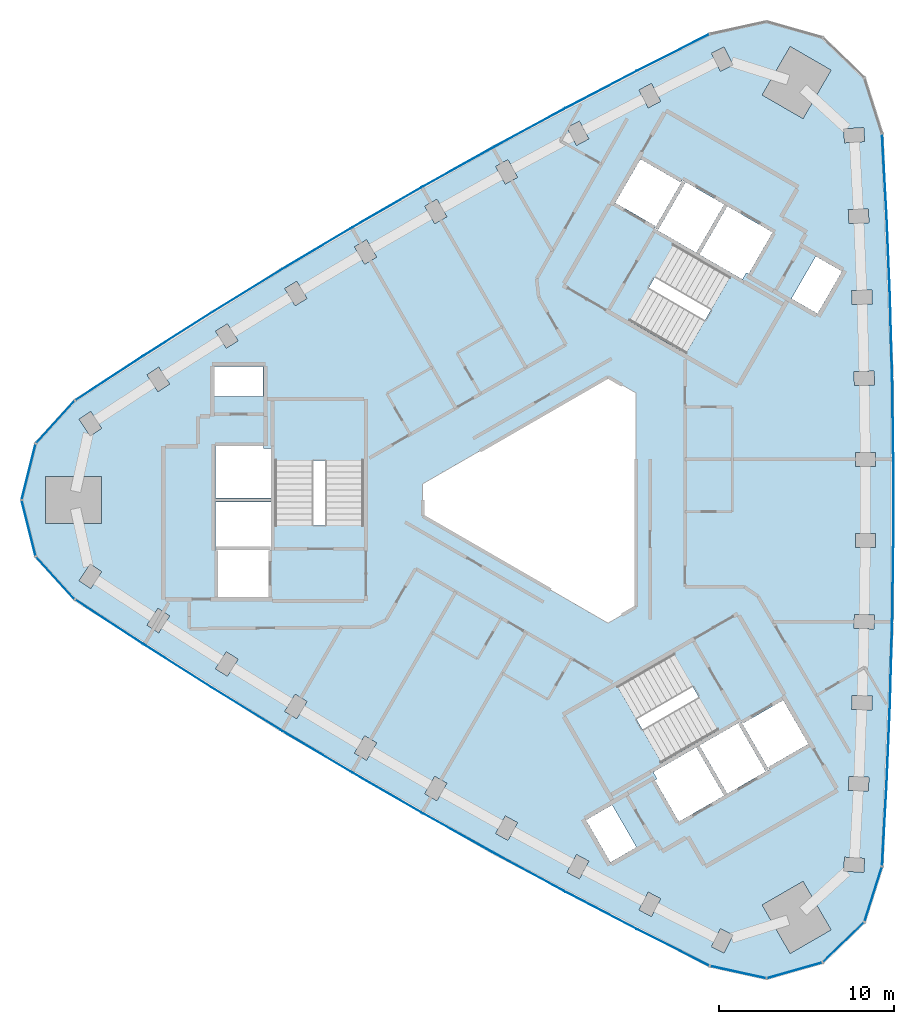
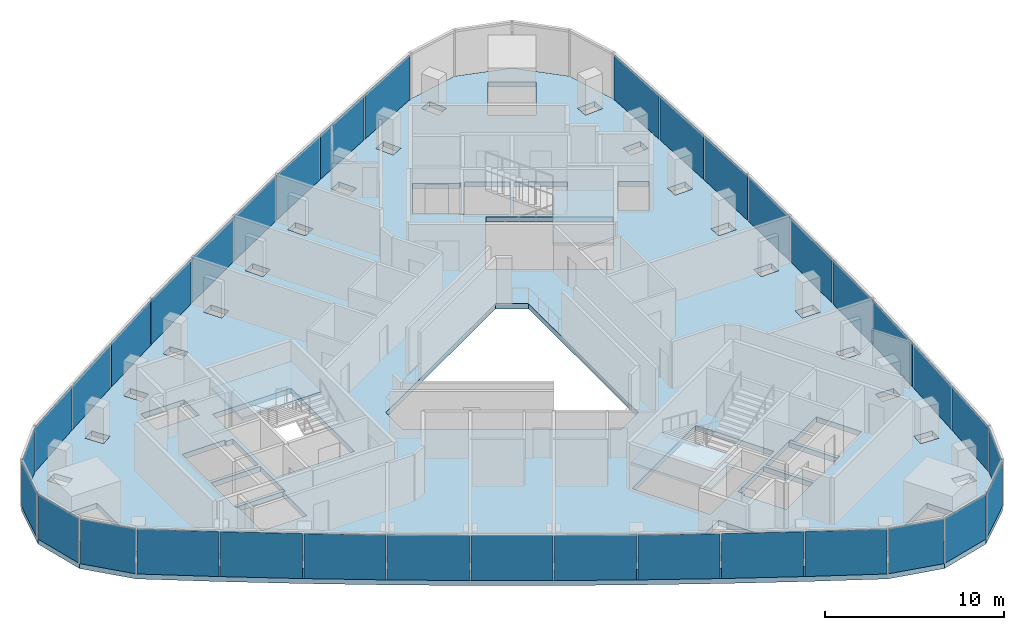
# One storey, part 6 of 11: 35 plates, 4 slabs, 6 elements without a shape of their own.
"""IFC4 building model written with IfcOpenShell, lengths in metres."""

import ifcopenshell
import ifcopenshell.guid

model = None  # the IFC model being written
_history = None  # IfcOwnerHistory: only IFC2X3 demands one
_inside = {}  # id of a spatial element -> (the spatial element, [elements in it])
_under = {}  # id of a project, library or spatial element -> (it, [spatial elements below it])
_declared = {}  # id of a project -> (the project, [libraries it declares])
_typed = {}  # id of a type object -> (the type object, [elements of that type])
_made_of = {}  # id of a material, layer set ... -> (it, [elements and type objects made of it])


def new_model(schema):
    """Start an empty IFC model of exactly this schema.

    Asked for "IFC4X3", IfcOpenShell would pick the latest addendum, in which some entities
    have other attributes; the version numbers below select the first issue.
    IFC2X3 requires an IfcOwnerHistory on every rooted entity: one is made here for all.
    """
    global model, _history
    if schema == "IFC4X3":
        model = ifcopenshell.file(schema_version=(4, 3, 0, 0))
    else:
        model = ifcopenshell.file(schema=schema)
    _inside.clear()
    _under.clear()
    _declared.clear()
    _typed.clear()
    _made_of.clear()
    _history = None
    if model.schema == "IFC2X3":
        org = make("IfcOrganization", Name="unknown")
        user = make(
            "IfcPersonAndOrganization",
            ThePerson=make("IfcPerson", FamilyName="unknown"),
            TheOrganization=org,
        )
        app = make(
            "IfcApplication",
            ApplicationDeveloper=org,
            Version="unknown",
            ApplicationFullName="unknown",
            ApplicationIdentifier="unknown",
        )
        _history = make(
            "IfcOwnerHistory",
            OwningUser=user,
            OwningApplication=app,
            ChangeAction="ADDED",
            CreationDate=0,
        )
    return model


def make(cls, **values):
    """One entity of the class cls with the attributes given. An attribute that is None is left unset."""
    return model.create_entity(
        cls, **{name: value for name, value in values.items() if value is not None}
    )


def rooted(cls, **values):
    """An entity with a GlobalId (a new one), such as an element, a storey or a relation."""
    return make(cls, GlobalId=ifcopenshell.guid.new(), OwnerHistory=_history, **values)


def si_unit(unit_type, name, prefix=None):
    """IfcSIUnit, for example si_unit("LENGTHUNIT", "METRE", prefix="MILLI")."""
    return make("IfcSIUnit", UnitType=unit_type, Prefix=prefix, Name=name)


def assignment(units):
    """IfcUnitAssignment: the units of a project."""
    return None if units is None else make("IfcUnitAssignment", Units=units)


def point(xyz):
    """IfcCartesianPoint."""
    return None if xyz is None else make("IfcCartesianPoint", Coordinates=xyz)


def direction(xyz):
    """IfcDirection."""
    return None if xyz is None else make("IfcDirection", DirectionRatios=xyz)


def frame(location, z_axis=None, x_axis=None):
    """IfcAxis2Placement3D, a coordinate frame: its origin and axes. An axis left out is left unset."""
    return make(
        "IfcAxis2Placement3D",
        Location=point(location),
        Axis=direction(z_axis),
        RefDirection=direction(x_axis),
    )


def frame_2d(location, x_axis=None):
    """IfcAxis2Placement2D, a coordinate frame in the plane: its origin and x axis."""
    return make(
        "IfcAxis2Placement2D", Location=point(location), RefDirection=direction(x_axis)
    )


def origin():
    """The frame at (0, 0, 0) with its axes left unset."""
    return frame((0.0, 0.0, 0.0))


def origin_2d():
    """The frame at (0, 0) in the plane with its x axis left unset."""
    return frame_2d((0.0, 0.0))


def place(relative_to, where):
    """IfcLocalPlacement: puts the frame where relative to a parent placement (None: the world)."""
    return make(
        "IfcLocalPlacement", PlacementRelTo=relative_to, RelativePlacement=where
    )


def context(
    kind, dimensions, precision=None, world=None, true_north=None, identifier=None
):
    """IfcGeometricRepresentationContext, for example the 3D "Model" context."""
    return make(
        "IfcGeometricRepresentationContext",
        ContextIdentifier=identifier,
        ContextType=kind,
        CoordinateSpaceDimension=dimensions,
        Precision=precision,
        WorldCoordinateSystem=world,
        TrueNorth=true_north,
    )


def subcontext(parent, identifier, kind, view, scale=None):
    """IfcGeometricRepresentationSubContext, for example "Body" below "Model"."""
    return make(
        "IfcGeometricRepresentationSubContext",
        ContextIdentifier=identifier,
        ContextType=kind,
        ParentContext=parent,
        TargetScale=scale,
        TargetView=view,
    )


def project(units=None, contexts=None):
    """IfcProject with its units and contexts."""
    return rooted(
        "IfcProject",
        Name="project",
        RepresentationContexts=contexts,
        UnitsInContext=assignment(units),
    )


def spatial(cls, under=None, at=None, **own):
    """A site, building, storey or space (cls), placed at a placement, below another one or the project."""
    s = rooted(cls, ObjectPlacement=at, **own)
    if under is not None:
        _under.setdefault(under.id(), (under, []))[1].append(s)
    return s


def polyline(points):
    """IfcPolyline through the points."""
    return make("IfcPolyline", Points=[point(p) for p in points])


def profile(cls, at=None, kind="AREA", **sizes):
    """A parametric profile (cls). Its sizes go by their IFC names, for example OverallWidth=200.0."""
    return make(cls, ProfileType=kind, Position=at, **sizes)


def rectangle(**sizes):
    """IfcRectangleProfileDef."""
    return profile("IfcRectangleProfileDef", **sizes)


def outline(outer, holes=None, kind="AREA"):
    """IfcArbitraryClosedProfileDef: a profile drawn as a closed curve; with holes, ...WithVoids."""
    if holes is None:
        return make("IfcArbitraryClosedProfileDef", ProfileType=kind, OuterCurve=outer)
    return make(
        "IfcArbitraryProfileDefWithVoids",
        ProfileType=kind,
        OuterCurve=outer,
        InnerCurves=holes,
    )


def extrude(swept, where, along, depth):
    """IfcExtrudedAreaSolid: the profile swept, set in the frame where, extruded along a direction by depth."""
    return make(
        "IfcExtrudedAreaSolid",
        SweptArea=swept,
        Position=where,
        ExtrudedDirection=direction(along),
        Depth=depth,
    )


def shape(context_of_items, identifier, shape_type, items):
    """IfcShapeRepresentation: the items that make up one representation, for example the "Body"."""
    return make(
        "IfcShapeRepresentation",
        ContextOfItems=context_of_items,
        RepresentationIdentifier=identifier,
        RepresentationType=shape_type,
        Items=items,
    )


def material(Name=None, Category=None):
    """IfcMaterial."""
    return make("IfcMaterial", Name=Name, Category=Category)


def layer(
    of_material, thickness, ventilated=None, Name=None, Category=None, Priority=None
):
    """IfcMaterialLayer: one layer of a wall or slab, of a material (None: an air gap)."""
    return make(
        "IfcMaterialLayer",
        Material=of_material,
        LayerThickness=thickness,
        IsVentilated=ventilated,
        Name=Name,
        Category=Category,
        Priority=Priority,
    )


def layer_set(layers, Name=None):
    """IfcMaterialLayerSet."""
    return make("IfcMaterialLayerSet", MaterialLayers=layers, LayerSetName=Name)


def made_of(thing, what):
    """Note that an element or type object is made of a material, layer set ...; save() writes the relation."""
    if what is not None:
        _made_of.setdefault(what.id(), (what, []))[1].append(thing)
    return thing


def type_object(cls, material=None, **own):
    """A type object (cls), such as IfcWallType, which elements share."""
    return made_of(rooted(cls, **own), material)


def element(
    cls,
    number,
    at=None,
    inside=None,
    cuts=None,
    type_object=None,
    material=None,
    context=None,
    identifier="Body",
    shape_type=None,
    held_by="IfcProductDefinitionShape",
    body=None,
    shapes=None,
    **own,
):
    """One element of the class cls, such as IfcWall. Its Tag is "e" and its number.

    at: its placement. inside: the storey or other place that contains it. cuts: it is an
    opening in that element (IfcRelVoidsElement). A single representation is given by context,
    identifier, shape_type and body (its items); several are given by shapes. held_by: the class
    of the entity that holds the representations. save() writes the other relations.
    """
    e = rooted(cls, Tag="e%d" % number, ObjectPlacement=at, **own)
    if body is not None:
        shapes = [shape(context, identifier, shape_type, body)]
    if shapes is not None:
        e.Representation = make(held_by, Representations=shapes)
    if inside is not None:
        _inside.setdefault(inside.id(), (inside, []))[1].append(e)
    if cuts is not None:
        rooted(
            "IfcRelVoidsElement", RelatingBuildingElement=cuts, RelatedOpeningElement=e
        )
    if type_object is not None:
        _typed.setdefault(type_object.id(), (type_object, []))[1].append(e)
    return made_of(e, material)


def aggregate(whole, parts):
    """IfcRelAggregates: a whole, such as a stair, and the parts it consists of."""
    return rooted("IfcRelAggregates", RelatingObject=whole, RelatedObjects=parts)


def save(model, path):
    """Write the relations noted so far, then the file.

    IfcRelAggregates (storeys below a building ...), IfcRelContainedInSpatialStructure (elements
    in a storey), IfcRelDefinesByType, IfcRelAssociatesMaterial and IfcRelDeclares: one each for
    every whole, place, type object, material and project.
    """
    for whole, parts in _under.values():
        aggregate(whole, parts)
    for where, things in _inside.values():
        rooted(
            "IfcRelContainedInSpatialStructure",
            RelatedElements=things,
            RelatingStructure=where,
        )
    for kind, things in _typed.values():
        rooted("IfcRelDefinesByType", RelatedObjects=things, RelatingType=kind)
    for what, things in _made_of.values():
        rooted("IfcRelAssociatesMaterial", RelatedObjects=things, RelatingMaterial=what)
    for by, libraries in _declared.values():
        rooted("IfcRelDeclares", RelatingContext=by, RelatedDefinitions=libraries)
    model.write(path)


model = new_model("IFC4")

# Units and contexts
model_context = context("Model", 3, precision=1e-05, world=origin(), true_north=direction((0.0, 1.0)))
body_context = subcontext(model_context, "Body", "Model", "MODEL_VIEW")
ifc_project = project(units=[si_unit("LENGTHUNIT", "METRE"), si_unit("AREAUNIT", "SQUARE_METRE"), si_unit("VOLUMEUNIT", "CUBIC_METRE"), si_unit("PLANEANGLEUNIT", "RADIAN"), si_unit("MASSUNIT", "GRAM", prefix="KILO")], contexts=[model_context])

# Site, building, storey
site_placement = place(None, origin())
site = spatial("IfcSite", under=ifc_project, at=site_placement, CompositionType="ELEMENT")
building_placement = place(site_placement, origin())
building = spatial("IfcBuilding", under=site, at=building_placement, Name="Tamra Quay Hotel Tower", CompositionType="ELEMENT")
storey_placement = place(building_placement, frame((0.0, 0.0, 208.0)))
storey = spatial("IfcBuildingStorey", under=building, at=storey_placement, Name="L52", CompositionType="ELEMENT", Elevation=208.0)

# Stair, slab
ifc_material_1 = material(Name="Exit stair 2200 24 risers 150.0 going 342")
stair_type = type_object("IfcStairType", Name="Exit stair 2200 24 risers 150.0 going 342", PredefinedType="HALF_TURN_STAIR", material=ifc_material_1)
stair_1_placement = place(storey_placement, origin())
stair_1 = element("IfcStair", 1, at=stair_1_placement, inside=storey, type_object=stair_type, Name="L52 Exit stair ST3", PredefinedType="HALF_TURN_STAIR")
ifc_material_2 = material(Name="Concrete M70", Category="concrete")
ifc_layer_1 = layer(ifc_material_2, 0.175048828125)
ifc_layer_set_1 = layer_set([ifc_layer_1], Name="Concrete M70 stair landing 180")
slab_type_1 = type_object("IfcSlabType", Name="Concrete M70 stair landing 180", PredefinedType="LANDING", material=ifc_layer_set_1)
slab_1_placement = place(storey_placement, frame((0.0, 0.0, 1.625)))
slab_1 = element("IfcSlab", 2, at=slab_1_placement, type_object=slab_type_1, Name="ST3 landing 1", PredefinedType="LANDING", context=body_context, shape_type="SweptSolid", body=[
    extrude(outline(polyline([(-10.932373046875, 2.261962890625), (-10.932373046875, 5.679931640625), (-16.09130859375, 5.679931640625), (-16.09130859375, 2.261962890625), (-10.932373046875, 2.261962890625)])), origin(), (0.0, 0.0, 1.0), 0.175048828125),
])
aggregate(stair_1, [slab_1])

stair_2_placement = place(storey_placement, origin())
stair_2 = element("IfcStair", 3, at=stair_2_placement, inside=storey, type_object=stair_type, Name="L52 Exit stair ST1", PredefinedType="HALF_TURN_STAIR")
slab_2_placement = place(storey_placement, frame((0.0, 0.0, 1.625)))
slab_2 = element("IfcSlab", 4, at=slab_2_placement, type_object=slab_type_1, Name="ST1 landing 1", PredefinedType="LANDING", context=body_context, shape_type="SweptSolid", body=[
    extrude(outline(polyline([(7.425048828125, 8.336669921875), (10.385009765625, 6.627685546875), (12.964599609375, 11.095458984375), (10.00439453125, 12.804443359375), (7.425048828125, 8.336669921875)])), origin(), (0.0, 0.0, 1.0), 0.175048828125),
])
aggregate(stair_2, [slab_2])

stair_3_placement = place(storey_placement, origin())
stair_3 = element("IfcStair", 5, at=stair_3_placement, inside=storey, type_object=stair_type, Name="L52 Exit stair ST2", PredefinedType="HALF_TURN_STAIR")
slab_3_placement = place(storey_placement, frame((0.0, 0.0, 1.625)))
slab_3 = element("IfcSlab", 6, at=slab_3_placement, type_object=slab_type_1, Name="ST2 landing 1", PredefinedType="LANDING", context=body_context, shape_type="SweptSolid", body=[
    extrude(outline(polyline([(3.50732421875, -10.5986328125), (0.547119140625, -12.3076171875), (3.126708984375, -16.775390625), (6.086669921875, -15.06640625), (3.50732421875, -10.5986328125)])), origin(), (0.0, 0.0, 1.0), 0.175048828125),
])
aggregate(stair_3, [slab_3])

# Slab
ifc_material_3 = material(Name="Concrete M60", Category="concrete")
ifc_layer_2 = layer(ifc_material_3, 0.35009765625)
ifc_layer_set_2 = layer_set([ifc_layer_2], Name="FLOOR SLAB PT 350")
slab_type_2 = type_object("IfcSlabType", Name="FLOOR SLAB PT 350", PredefinedType="FLOOR", material=ifc_layer_set_2)
slab_4_placement = place(storey_placement, frame((0.0, 0.0, -0.35009765625)))
element("IfcSlab", 7, at=slab_4_placement, inside=storey, type_object=slab_type_2, Name="SLAB-L52", PredefinedType="FLOOR", context=body_context, shape_type="SweptSolid", body=[
    extrude(outline(polyline([(18.923583984375, 16.302734375), (19.117431640625, 11.646728515625), (19.246826171875, 6.989501953125), (19.3115234375, 2.330078125), (19.3115234375, -2.330078125), (19.246826171875, -6.989501953125), (19.117431640625, -11.646728515625), (18.923583984375, -16.302734375), (18.665283203125, -20.955078125), (17.65576171875, -24.1259765625), (15.2666015625, -26.4423828125), (12.06591796875, -27.353271484375), (8.81494140625, -26.642333984375), (4.65673828125, -24.539794921875), (0.527587890625, -22.379638671875), (-3.5703125, -20.1630859375), (-7.637939453125, -17.88916015625), (-11.673583984375, -15.55908203125), (-15.676513671875, -13.17333984375), (-19.645263671875, -10.73291015625), (-23.580322265625, -8.23681640625), (-27.48046875, -5.68701171875), (-29.7216796875, -3.227294921875), (-30.532958984375, 0.0), (-29.7216796875, 3.227294921875), (-27.48046875, 5.68701171875), (-23.580322265625, 8.23681640625), (-19.645263671875, 10.73291015625), (-15.676513671875, 13.17333984375), (-11.673583984375, 15.55908203125), (-7.637939453125, 17.88916015625), (-3.5703125, 20.1630859375), (0.527587890625, 22.379638671875), (4.65673828125, 24.539794921875), (8.81494140625, 26.642333984375), (12.06591796875, 27.353271484375), (15.2666015625, 26.4423828125), (17.65576171875, 24.1259765625), (18.665283203125, 20.955078125), (18.923583984375, 16.302734375)]), holes=[polyline([(-11.500244140625, -14.4736328125), (-10.810302734375, -14.87841796875), (-10.228271484375, -13.88671875), (-10.918212890625, -13.481689453125), (-11.500244140625, -14.4736328125)]), polyline([(-14.89208984375, -11.106689453125), (-15.488037109375, -12.09033203125), (-14.8037109375, -12.5048828125), (-14.207763671875, -11.521240234375), (-14.89208984375, -11.106689453125)]), polyline([(-18.83349609375, -8.6767578125), (-19.4423828125, -9.65234375), (-18.763916015625, -10.075927734375), (-18.15478515625, -9.100341796875), (-18.83349609375, -8.6767578125)]), polyline([(-23.362548828125, -7.159423828125), (-22.689697265625, -7.59228515625), (-22.0673828125, -6.62548828125), (-22.739990234375, -6.1923828125), (-23.362548828125, -7.159423828125)]), polyline([(-26.6123046875, -3.654296875), (-27.247802734375, -4.612548828125), (-26.5810546875, -5.0546875), (-25.945556640625, -4.096435546875), (-26.6123046875, -3.654296875)]), polyline([(-16.3173828125, -2.85498046875), (-19.4072265625, -2.85498046875), (-19.4072265625, -2.89306640625), (-19.307373046875, -2.89306640625), (-19.307373046875, -5.544921875), (-16.417236328125, -5.544921875), (-16.417236328125, -2.89306640625), (-16.3173828125, -2.89306640625), (-16.3173828125, -2.85498046875)]), polyline([(-19.417236328125, -2.64501953125), (-16.307373046875, -2.64501953125), (-16.307373046875, -2.89306640625), (-16.26708984375, -2.89306640625), (-16.26708984375, -0.10498046875), (-19.45751953125, -0.10498046875), (-19.45751953125, -2.89306640625), (-19.417236328125, -2.89306640625), (-19.417236328125, -2.64501953125)]), polyline([(-25.958984375, 1.35009765625), (-29.158935546875, 1.35009765625), (-29.158935546875, -1.35009765625), (-25.958984375, -1.35009765625), (-25.958984375, 1.35009765625)]), polyline([(-16.26708984375, 2.945068359375), (-16.707275390625, 2.945068359375), (-16.707275390625, 3.09521484375), (-19.45751953125, 3.09521484375), (-19.45751953125, 0.10498046875), (-16.26708984375, 0.10498046875), (-16.26708984375, 2.945068359375)]), polyline([(-10.9873046875, -1.455078125), (-10.9873046875, 5.625), (-16.036376953125, 5.625), (-16.036376953125, -1.455078125), (-10.9873046875, -1.455078125)]), polyline([(-25.945556640625, 4.096435546875), (-26.5810546875, 5.0546875), (-27.247802734375, 4.612548828125), (-26.6123046875, 3.654296875), (-25.945556640625, 4.096435546875)]), polyline([(-16.71728515625, 7.64501953125), (-19.50732421875, 7.64501953125), (-19.50732421875, 5.9150390625), (-16.71728515625, 5.9150390625), (-16.71728515625, 7.64501953125)]), polyline([(-22.689697265625, 7.59228515625), (-23.362548828125, 7.159423828125), (-22.739990234375, 6.1923828125), (-22.0673828125, 6.62548828125), (-22.689697265625, 7.59228515625)]), polyline([(-18.15478515625, 9.100341796875), (-18.763916015625, 10.075927734375), (-19.4423828125, 9.65234375), (-18.83349609375, 8.6767578125), (-18.15478515625, 9.100341796875)]), polyline([(-14.207763671875, 11.521240234375), (-14.8037109375, 12.5048828125), (-15.488037109375, 12.09033203125), (-14.89208984375, 11.106689453125), (-14.207763671875, 11.521240234375)]), polyline([(-10.810302734375, 14.87841796875), (-11.500244140625, 14.4736328125), (-10.918212890625, 13.481689453125), (-10.228271484375, 13.88671875), (-10.810302734375, 14.87841796875)]), polyline([(-6.21630859375, 16.196533203125), (-6.784423828125, 17.1962890625), (-7.47998046875, 16.80126953125), (-6.912109375, 15.801513671875), (-6.21630859375, 16.196533203125)]), polyline([(9.42529296875, -24.517578125), (8.9130859375, -25.547119140625), (9.629150390625, -25.903564453125), (10.141357421875, -24.8740234375), (9.42529296875, -24.517578125)]), polyline([(4.76953125, -23.4462890625), (5.48095703125, -23.812255859375), (6.007080078125, -22.78955078125), (5.2958984375, -22.423583984375), (4.76953125, -23.4462890625)]), polyline([(1.196533203125, -20.272705078125), (0.656005859375, -21.28759765625), (1.362060546875, -21.663818359375), (1.902587890625, -20.648681640625), (1.196533203125, -20.272705078125)]), polyline([(1.73779296875, -18.300048828125), (3.1328125, -20.71630859375), (4.631103515625, -19.851318359375), (3.236083984375, -17.43505859375), (1.73779296875, -18.300048828125)]), polyline([(-3.427734375, -19.072998046875), (-2.7265625, -19.458251953125), (-2.172607421875, -18.4501953125), (-2.873779296875, -18.06494140625), (-3.427734375, -19.072998046875)]), polyline([(-6.912109375, -15.801513671875), (-7.47998046875, -16.80126953125), (-6.784423828125, -17.1962890625), (-6.21630859375, -16.196533203125), (-6.912109375, -15.801513671875)]), polyline([(5.5830078125, -15.560302734375), (5.80322265625, -15.94140625), (5.673095703125, -16.0166015625), (7.04833984375, -18.398193359375), (9.6376953125, -16.903076171875), (8.042724609375, -14.14013671875), (5.5830078125, -15.560302734375)]), polyline([(11.999267578125, -15.493408203125), (10.4443359375, -12.800048828125), (10.6591796875, -12.676025390625), (10.63916015625, -12.64111328125), (8.224609375, -14.03515625), (9.819580078125, -16.798095703125), (12.234130859375, -15.404052734375), (12.214111328125, -15.369384765625), (11.999267578125, -15.493408203125)]), polyline([(9.2783203125, -13.160400390625), (6.75390625, -8.78759765625), (0.622314453125, -12.32763671875), (3.146728515625, -16.7001953125), (9.2783203125, -13.160400390625)]), polyline([(3.0, 7.043701171875), (-7.60009765625, 0.923828125), (-7.60009765625, -0.923828125), (3.0, -7.043701171875), (4.60009765625, -6.119873046875), (4.60009765625, 6.119873046875), (3.0, 7.043701171875)]), polyline([(4.2333984375, 10.242919921875), (10.364990234375, 6.702880859375), (12.889404296875, 11.075439453125), (6.758056640625, 14.615478515625), (4.2333984375, 10.242919921875)]), polyline([(7.203125, 18.262451171875), (7.41796875, 18.138427734375), (5.863037109375, 15.445068359375), (5.648193359375, 15.569091796875), (5.628173828125, 15.5341796875), (8.04248046875, 14.140380859375), (9.6376953125, 16.903076171875), (7.22314453125, 18.297119140625), (7.203125, 18.262451171875)]), polyline([(5.68603515625, 15.55859375), (7.231201171875, 18.234619140625), (7.1982421875, 18.253662109375), (7.148193359375, 18.1669921875), (4.8515625, 19.4931640625), (3.406494140625, 16.990234375), (5.703125, 15.664306640625), (5.6533203125, 15.57763671875), (5.68603515625, 15.55859375)]), polyline([(-2.7265625, 19.458251953125), (-3.427734375, 19.072998046875), (-2.873779296875, 18.06494140625), (-2.172607421875, 18.4501953125), (-2.7265625, 19.458251953125)]), polyline([(1.902587890625, 20.648681640625), (1.362060546875, 21.663818359375), (0.656005859375, 21.28759765625), (1.196533203125, 20.272705078125), (1.902587890625, 20.648681640625)]), polyline([(6.007080078125, 22.78955078125), (5.48095703125, 23.812255859375), (4.76953125, 23.4462890625), (5.2958984375, 22.423583984375), (6.007080078125, 22.78955078125)]), polyline([(9.629150390625, 25.903564453125), (8.9130859375, 25.547119140625), (9.42529296875, 24.517578125), (10.141357421875, 24.8740234375), (9.629150390625, 25.903564453125)]), polyline([(11.810302734375, -23.15625), (13.410400390625, -25.927490234375), (15.74853515625, -24.577392578125), (14.148681640625, -21.80615234375), (11.810302734375, -23.15625)]), polyline([(16.470703125, -21.2197265625), (17.61865234375, -21.291015625), (17.668212890625, -20.492431640625), (16.5205078125, -20.42138671875), (16.470703125, -21.2197265625)]), polyline([(17.881591796875, -16.65283203125), (17.920166015625, -15.853759765625), (16.771484375, -15.798095703125), (16.73291015625, -16.59716796875), (17.881591796875, -16.65283203125)]), polyline([(10.631103515625, -12.70361328125), (12.176025390625, -15.379638671875), (12.208984375, -15.360595703125), (12.1591796875, -15.274169921875), (14.455810546875, -13.947998046875), (13.0107421875, -11.4453125), (10.714111328125, -12.771240234375), (10.6640625, -12.6845703125), (10.631103515625, -12.70361328125)]), polyline([(16.930908203125, -11.971923828125), (18.080322265625, -12.011474609375), (18.10791015625, -11.2119140625), (16.95849609375, -11.172607421875), (16.930908203125, -11.971923828125)]), polyline([(18.214599609375, -7.367919921875), (18.2314453125, -6.568115234375), (17.081787109375, -6.543701171875), (17.064697265625, -7.343505859375), (18.214599609375, -7.367919921875)]), polyline([(17.134765625, -2.714599609375), (18.28466796875, -2.72265625), (18.290283203125, -1.9228515625), (17.140380859375, -1.914794921875), (17.134765625, -2.714599609375)]), polyline([(17.140380859375, 1.914794921875), (18.290283203125, 1.9228515625), (18.28466796875, 2.72265625), (17.134765625, 2.714599609375), (17.140380859375, 1.914794921875)]), polyline([(18.2314453125, 6.568115234375), (18.214599609375, 7.367919921875), (17.064697265625, 7.343505859375), (17.081787109375, 6.543701171875), (18.2314453125, 6.568115234375)]), polyline([(16.95849609375, 11.172607421875), (18.10791015625, 11.2119140625), (18.080322265625, 12.011474609375), (16.930908203125, 11.971923828125), (16.95849609375, 11.172607421875)]), polyline([(14.9794921875, 10.655029296875), (16.37451171875, 13.0712890625), (14.876220703125, 13.936279296875), (13.481201171875, 11.52001953125), (14.9794921875, 10.655029296875)]), polyline([(10.68408203125, 12.615234375), (10.904052734375, 12.996337890625), (11.0341796875, 12.92138671875), (12.4091796875, 15.302978515625), (9.819580078125, 16.798095703125), (8.224365234375, 14.035400390625), (10.68408203125, 12.615234375)]), polyline([(16.771484375, 15.798095703125), (17.920166015625, 15.853759765625), (17.881591796875, 16.65283203125), (16.73291015625, 16.59716796875), (16.771484375, 15.798095703125)]), polyline([(16.5205078125, 20.42138671875), (17.668212890625, 20.492431640625), (17.61865234375, 21.291015625), (16.470703125, 21.2197265625), (16.5205078125, 20.42138671875)]), polyline([(14.148681640625, 21.80615234375), (15.74853515625, 24.577392578125), (13.410400390625, 25.927490234375), (11.810302734375, 23.15625), (14.148681640625, 21.80615234375)])]), origin(), (0.0, 0.0, 1.0), 0.35009765625),
])

# Curtain wall, plates
ifc_material_4 = material(Name="Aluminium 6063 anodised dark grey", Category="aluminium")
curtain_wall_type_1 = type_object("IfcCurtainWallType", Name="CW1 CURTAIN WALL", PredefinedType="NOTDEFINED", material=ifc_material_4)
curtain_wall_1_placement = place(storey_placement, origin())
curtain_wall_1 = element("IfcCurtainWall", 8, at=curtain_wall_1_placement, inside=storey, type_object=curtain_wall_type_1, Name="CW1 east face L52", PredefinedType="NOTDEFINED")
ifc_material_5 = material(Name="Glass clear laminated low-iron", Category="glass")
ifc_layer_3 = layer(ifc_material_5, 0.030029296875)
ifc_layer_set_3 = layer_set([ifc_layer_3], Name="GLASS PANEL CW1 Z4")
plate_type_1 = type_object("IfcPlateType", Name="GLASS PANEL CW1 Z4", PredefinedType="CURTAIN_PANEL", material=ifc_layer_set_3)
plate_1_placement = place(storey_placement, frame((18.79443359375, -18.62890625, 0.0), z_axis=(0.0, 0.0, 1.0), x_axis=(0.055416978175, 0.998463298539, 0.0)))
plate_1 = element("IfcPlate", 9, at=plate_1_placement, type_object=plate_type_1, Name="CW1 glass L52.E.1", PredefinedType="CURTAIN_PANEL", context=body_context, shape_type="SweptSolid", body=[
    extrude(rectangle(XDim=4.5595703125, YDim=0.030029296875, at=origin_2d()), origin(), (0.0, 0.0, 1.0), 3.06005859375),
])
plate_2_placement = place(storey_placement, frame((19.0205078125, -13.974853515625, 0.0), z_axis=(0.0, 0.0, 1.0), x_axis=(0.041599830799, 0.999134352366, 0.0)))
plate_2 = element("IfcPlate", 10, at=plate_2_placement, type_object=plate_type_1, Name="CW1 glass L52.E.2", PredefinedType="CURTAIN_PANEL", context=body_context, shape_type="SweptSolid", body=[
    extrude(rectangle(XDim=4.56005859375, YDim=0.030029296875, at=origin_2d()), origin(), (0.0, 0.0, 1.0), 3.06005859375),
])
plate_3_placement = place(storey_placement, frame((19.18212890625, -9.318115234375, 0.0), z_axis=(0.0, 0.0, 1.0), x_axis=(0.02775369181, 0.999614792103, 0.0)))
plate_3 = element("IfcPlate", 11, at=plate_3_placement, type_object=plate_type_1, Name="CW1 glass L52.E.3", PredefinedType="CURTAIN_PANEL", context=body_context, shape_type="SweptSolid", body=[
    extrude(rectangle(XDim=4.55908203125, YDim=0.030029296875, at=origin_2d()), origin(), (0.0, 0.0, 1.0), 3.06005859375),
])
plate_4_placement = place(storey_placement, frame((19.279052734375, -4.65966796875, 0.0), z_axis=(0.0, 0.0, 1.0), x_axis=(0.013885994278, 0.999903584934, 0.0)))
plate_4 = element("IfcPlate", 12, at=plate_4_placement, type_object=plate_type_1, Name="CW1 glass L52.E.4", PredefinedType="CURTAIN_PANEL", context=body_context, shape_type="SweptSolid", body=[
    extrude(rectangle(XDim=4.56005859375, YDim=0.030029296875, at=origin_2d()), origin(), (0.0, 0.0, 1.0), 3.06005859375),
])
plate_5_placement = place(storey_placement, frame((19.3115234375, 0.0, 0.0), z_axis=(0.0, 0.0, 1.0), x_axis=(0.0, 1.0, 0.0)))
plate_5 = element("IfcPlate", 13, at=plate_5_placement, type_object=plate_type_1, Name="CW1 glass L52.E.5", PredefinedType="CURTAIN_PANEL", context=body_context, shape_type="SweptSolid", body=[
    extrude(rectangle(XDim=4.56005859375, YDim=0.030029296875, at=origin_2d()), origin(), (0.0, 0.0, 1.0), 3.06005859375),
])
plate_6_placement = place(storey_placement, frame((19.279052734375, 4.65966796875, 0.0), z_axis=(0.0, 0.0, 1.0), x_axis=(-0.013885994278, 0.999903584934, 0.0)))
plate_6 = element("IfcPlate", 14, at=plate_6_placement, type_object=plate_type_1, Name="CW1 glass L52.E.6", PredefinedType="CURTAIN_PANEL", context=body_context, shape_type="SweptSolid", body=[
    extrude(rectangle(XDim=4.56005859375, YDim=0.030029296875, at=origin_2d()), origin(), (0.0, 0.0, 1.0), 3.06005859375),
])
plate_7_placement = place(storey_placement, frame((19.18212890625, 9.318115234375, 0.0), z_axis=(0.0, 0.0, 1.0), x_axis=(-0.02775369181, 0.999614792103, 0.0)))
plate_7 = element("IfcPlate", 15, at=plate_7_placement, type_object=plate_type_1, Name="CW1 glass L52.E.7", PredefinedType="CURTAIN_PANEL", context=body_context, shape_type="SweptSolid", body=[
    extrude(rectangle(XDim=4.55908203125, YDim=0.030029296875, at=origin_2d()), origin(), (0.0, 0.0, 1.0), 3.06005859375),
])
plate_8_placement = place(storey_placement, frame((19.0205078125, 13.974853515625, 0.0), z_axis=(0.0, 0.0, 1.0), x_axis=(-0.041599830799, 0.999134352366, 0.0)))
plate_8 = element("IfcPlate", 16, at=plate_8_placement, type_object=plate_type_1, Name="CW1 glass L52.E.8", PredefinedType="CURTAIN_PANEL", context=body_context, shape_type="SweptSolid", body=[
    extrude(rectangle(XDim=4.56005859375, YDim=0.030029296875, at=origin_2d()), origin(), (0.0, 0.0, 1.0), 3.06005859375),
])
plate_9_placement = place(storey_placement, frame((18.79443359375, 18.62890625, 0.0), z_axis=(0.0, 0.0, 1.0), x_axis=(-0.055416978175, 0.998463298539, 0.0)))
plate_9 = element("IfcPlate", 17, at=plate_9_placement, type_object=plate_type_1, Name="CW1 glass L52.E.9", PredefinedType="CURTAIN_PANEL", context=body_context, shape_type="SweptSolid", body=[
    extrude(rectangle(XDim=4.5595703125, YDim=0.030029296875, at=origin_2d()), origin(), (0.0, 0.0, 1.0), 3.06005859375),
])
aggregate(curtain_wall_1, [plate_1, plate_2, plate_3, plate_4, plate_5, plate_6, plate_7, plate_8, plate_9])

curtain_wall_type_2 = type_object("IfcCurtainWallType", Name="CW2 CURTAIN WALL", PredefinedType="NOTDEFINED", material=ifc_material_4)
curtain_wall_2_placement = place(storey_placement, origin())
curtain_wall_2 = element("IfcCurtainWall", 18, at=curtain_wall_2_placement, inside=storey, type_object=curtain_wall_type_2, Name="CW2 north-west face L52", PredefinedType="NOTDEFINED")
ifc_layer_4 = layer(ifc_material_5, 0.030029296875)
ifc_layer_set_4 = layer_set([ifc_layer_4], Name="GLASS PANEL CW2 Z4")
plate_type_2 = type_object("IfcPlateType", Name="GLASS PANEL CW2 Z4", PredefinedType="CURTAIN_PANEL", material=ifc_layer_set_4)
plate_10_placement = place(storey_placement, frame((6.73583984375, 25.591064453125, 0.0), z_axis=(0.0, 0.0, 1.0), x_axis=(-0.892403070369, -0.451239138369, 0.0)))
plate_10 = element("IfcPlate", 19, at=plate_10_placement, type_object=plate_type_2, Name="CW2 glass L52.NW.1", PredefinedType="CURTAIN_PANEL", context=body_context, shape_type="SweptSolid", body=[
    extrude(rectangle(XDim=4.5595703125, YDim=0.030029296875, at=origin_2d()), origin(), (0.0, 0.0, 1.0), 3.06005859375),
])
plate_11_placement = place(storey_placement, frame((2.59228515625, 23.459716796875, 0.0), z_axis=(0.0, 0.0, 1.0), x_axis=(-0.886075646342, -0.463540665918, 0.0)))
plate_11 = element("IfcPlate", 20, at=plate_11_placement, type_object=plate_type_2, Name="CW2 glass L52.NW.2", PredefinedType="CURTAIN_PANEL", context=body_context, shape_type="SweptSolid", body=[
    extrude(rectangle(XDim=4.56005859375, YDim=0.030029296875, at=origin_2d()), origin(), (0.0, 0.0, 1.0), 3.06005859375),
])
plate_12_placement = place(storey_placement, frame((-1.521240234375, 21.271240234375, 0.0), z_axis=(0.0, 0.0, 1.0), x_axis=(-0.879568649865, -0.475771993896, 0.0)))
plate_12 = element("IfcPlate", 21, at=plate_12_placement, type_object=plate_type_2, Name="CW2 glass L52.NW.3", PredefinedType="CURTAIN_PANEL", context=body_context, shape_type="SweptSolid", body=[
    extrude(rectangle(XDim=4.55908203125, YDim=0.030029296875, at=origin_2d()), origin(), (0.0, 0.0, 1.0), 3.06005859375),
])
plate_13_placement = place(storey_placement, frame((-5.60400390625, 19.026123046875, 0.0), z_axis=(0.0, 0.0, 1.0), x_axis=(-0.872884903026, -0.487926168665, 0.0)))
plate_13 = element("IfcPlate", 22, at=plate_13_placement, type_object=plate_type_2, Name="CW2 glass L52.NW.4", PredefinedType="CURTAIN_PANEL", context=body_context, shape_type="SweptSolid", body=[
    extrude(rectangle(XDim=4.56005859375, YDim=0.030029296875, at=origin_2d()), origin(), (0.0, 0.0, 1.0), 3.06005859375),
])
plate_14_placement = place(storey_placement, frame((-9.65576171875, 16.72412109375, 0.0), z_axis=(0.0, 0.0, 1.0), x_axis=(-0.866025403784, -0.5, 0.0)))
plate_14 = element("IfcPlate", 23, at=plate_14_placement, type_object=plate_type_2, Name="CW2 glass L52.NW.5", PredefinedType="CURTAIN_PANEL", context=body_context, shape_type="SweptSolid", body=[
    extrude(rectangle(XDim=4.56005859375, YDim=0.030029296875, at=origin_2d()), origin(), (0.0, 0.0, 1.0), 3.06005859375),
])
plate_15_placement = place(storey_placement, frame((-13.675048828125, 14.3662109375, 0.0), z_axis=(0.0, 0.0, 1.0), x_axis=(-0.858998908749, -0.511977416268, 0.0)))
plate_15 = element("IfcPlate", 24, at=plate_15_placement, type_object=plate_type_2, Name="CW2 glass L52.NW.6", PredefinedType="CURTAIN_PANEL", context=body_context, shape_type="SweptSolid", body=[
    extrude(rectangle(XDim=4.56005859375, YDim=0.030029296875, at=origin_2d()), origin(), (0.0, 0.0, 1.0), 3.06005859375),
])
plate_16_placement = place(storey_placement, frame((-17.660888671875, 11.953125, 0.0), z_axis=(0.0, 0.0, 1.0), x_axis=(-0.851814958055, -0.523842798207, 0.0)))
plate_16 = element("IfcPlate", 25, at=plate_16_placement, type_object=plate_type_2, Name="CW2 glass L52.NW.7", PredefinedType="CURTAIN_PANEL", context=body_context, shape_type="SweptSolid", body=[
    extrude(rectangle(XDim=4.55908203125, YDim=0.030029296875, at=origin_2d()), origin(), (0.0, 0.0, 1.0), 3.06005859375),
])
plate_17_placement = place(storey_placement, frame((-21.61279296875, 9.48486328125, 0.0), z_axis=(0.0, 0.0, 1.0), x_axis=(-0.844475815543, -0.535593686448, 0.0)))
plate_17 = element("IfcPlate", 26, at=plate_17_placement, type_object=plate_type_2, Name="CW2 glass L52.NW.8", PredefinedType="CURTAIN_PANEL", context=body_context, shape_type="SweptSolid", body=[
    extrude(rectangle(XDim=4.56005859375, YDim=0.030029296875, at=origin_2d()), origin(), (0.0, 0.0, 1.0), 3.06005859375),
])
plate_18_placement = place(storey_placement, frame((-25.5302734375, 6.962158203125, 0.0), z_axis=(0.0, 0.0, 1.0), x_axis=(-0.836986092194, -0.54722416017, 0.0)))
plate_18 = element("IfcPlate", 27, at=plate_18_placement, type_object=plate_type_2, Name="CW2 glass L52.NW.9", PredefinedType="CURTAIN_PANEL", context=body_context, shape_type="SweptSolid", body=[
    extrude(rectangle(XDim=4.5595703125, YDim=0.030029296875, at=origin_2d()), origin(), (0.0, 0.0, 1.0), 3.06005859375),
])
plate_19_placement = place(storey_placement, frame((-28.60107421875, 4.457275390625, 0.0), z_axis=(0.0, 0.0, 1.0), x_axis=(-0.673495681519, -0.739191157262, 0.0)))
plate_19 = element("IfcPlate", 28, at=plate_19_placement, type_object=plate_type_2, Name="CW2 glass L52.NW.10", PredefinedType="CURTAIN_PANEL", context=body_context, shape_type="SweptSolid", body=[
    extrude(rectangle(XDim=3.227783203125, YDim=0.030029296875, at=origin_2d()), origin(), (0.0, 0.0, 1.0), 3.06005859375),
])
plate_20_placement = place(storey_placement, frame((-30.127197265625, 1.61376953125, 0.0), z_axis=(0.0, 0.0, 1.0), x_axis=(-0.243826260198, -0.969818928892, 0.0)))
plate_20 = element("IfcPlate", 29, at=plate_20_placement, type_object=plate_type_2, Name="CW2 glass L52.NW.11", PredefinedType="CURTAIN_PANEL", context=body_context, shape_type="SweptSolid", body=[
    extrude(rectangle(XDim=3.227783203125, YDim=0.030029296875, at=origin_2d()), origin(), (0.0, 0.0, 1.0), 3.06005859375),
])
plate_21_placement = place(storey_placement, frame((-30.127197265625, -1.61376953125, 0.0), z_axis=(0.0, 0.0, 1.0), x_axis=(0.243826260198, -0.969818928892, 0.0)))
plate_21 = element("IfcPlate", 30, at=plate_21_placement, type_object=plate_type_2, Name="CW2 glass L52.NW.12", PredefinedType="CURTAIN_PANEL", context=body_context, shape_type="SweptSolid", body=[
    extrude(rectangle(XDim=3.227783203125, YDim=0.030029296875, at=origin_2d()), origin(), (0.0, 0.0, 1.0), 3.06005859375),
])
plate_22_placement = place(storey_placement, frame((-28.60107421875, -4.457275390625, 0.0), z_axis=(0.0, 0.0, 1.0), x_axis=(0.673495681519, -0.739191157262, 0.0)))
plate_22 = element("IfcPlate", 31, at=plate_22_placement, type_object=plate_type_2, Name="CW2 glass L52.NW.13", PredefinedType="CURTAIN_PANEL", context=body_context, shape_type="SweptSolid", body=[
    extrude(rectangle(XDim=3.227783203125, YDim=0.030029296875, at=origin_2d()), origin(), (0.0, 0.0, 1.0), 3.06005859375),
])
aggregate(curtain_wall_2, [plate_10, plate_11, plate_12, plate_13, plate_14, plate_15, plate_16, plate_17, plate_18, plate_19, plate_20, plate_21, plate_22])

curtain_wall_type_3 = type_object("IfcCurtainWallType", Name="CW3 CURTAIN WALL", PredefinedType="NOTDEFINED", material=ifc_material_4)
curtain_wall_3_placement = place(storey_placement, origin())
curtain_wall_3 = element("IfcCurtainWall", 32, at=curtain_wall_3_placement, inside=storey, type_object=curtain_wall_type_3, Name="CW3 south-west face L52", PredefinedType="NOTDEFINED")
ifc_layer_5 = layer(ifc_material_5, 0.030029296875)
ifc_layer_set_5 = layer_set([ifc_layer_5], Name="GLASS PANEL CW3 Z4")
plate_type_3 = type_object("IfcPlateType", Name="GLASS PANEL CW3 Z4", PredefinedType="CURTAIN_PANEL", material=ifc_layer_set_5)
plate_23_placement = place(storey_placement, frame((-25.5302734375, -6.962158203125, 0.0), z_axis=(0.0, 0.0, 1.0), x_axis=(0.836986092194, -0.54722416017, 0.0)))
plate_23 = element("IfcPlate", 33, at=plate_23_placement, type_object=plate_type_3, Name="CW3 glass L52.SW.1", PredefinedType="CURTAIN_PANEL", context=body_context, shape_type="SweptSolid", body=[
    extrude(rectangle(XDim=4.5595703125, YDim=0.030029296875, at=origin_2d()), origin(), (0.0, 0.0, 1.0), 3.06005859375),
])
plate_24_placement = place(storey_placement, frame((-21.61279296875, -9.48486328125, 0.0), z_axis=(0.0, 0.0, 1.0), x_axis=(0.844475815543, -0.535593686448, 0.0)))
plate_24 = element("IfcPlate", 34, at=plate_24_placement, type_object=plate_type_3, Name="CW3 glass L52.SW.2", PredefinedType="CURTAIN_PANEL", context=body_context, shape_type="SweptSolid", body=[
    extrude(rectangle(XDim=4.56005859375, YDim=0.030029296875, at=origin_2d()), origin(), (0.0, 0.0, 1.0), 3.06005859375),
])
plate_25_placement = place(storey_placement, frame((-17.660888671875, -11.953125, 0.0), z_axis=(0.0, 0.0, 1.0), x_axis=(0.851814958055, -0.523842798207, 0.0)))
plate_25 = element("IfcPlate", 35, at=plate_25_placement, type_object=plate_type_3, Name="CW3 glass L52.SW.3", PredefinedType="CURTAIN_PANEL", context=body_context, shape_type="SweptSolid", body=[
    extrude(rectangle(XDim=4.55908203125, YDim=0.030029296875, at=origin_2d()), origin(), (0.0, 0.0, 1.0), 3.06005859375),
])
plate_26_placement = place(storey_placement, frame((-13.675048828125, -14.3662109375, 0.0), z_axis=(0.0, 0.0, 1.0), x_axis=(0.858998908749, -0.511977416268, 0.0)))
plate_26 = element("IfcPlate", 36, at=plate_26_placement, type_object=plate_type_3, Name="CW3 glass L52.SW.4", PredefinedType="CURTAIN_PANEL", context=body_context, shape_type="SweptSolid", body=[
    extrude(rectangle(XDim=4.56005859375, YDim=0.030029296875, at=origin_2d()), origin(), (0.0, 0.0, 1.0), 3.06005859375),
])
plate_27_placement = place(storey_placement, frame((-9.65576171875, -16.72412109375, 0.0), z_axis=(0.0, 0.0, 1.0), x_axis=(0.866025403784, -0.5, 0.0)))
plate_27 = element("IfcPlate", 37, at=plate_27_placement, type_object=plate_type_3, Name="CW3 glass L52.SW.5", PredefinedType="CURTAIN_PANEL", context=body_context, shape_type="SweptSolid", body=[
    extrude(rectangle(XDim=4.56005859375, YDim=0.030029296875, at=origin_2d()), origin(), (0.0, 0.0, 1.0), 3.06005859375),
])
plate_28_placement = place(storey_placement, frame((-5.60400390625, -19.026123046875, 0.0), z_axis=(0.0, 0.0, 1.0), x_axis=(0.872884903026, -0.487926168665, 0.0)))
plate_28 = element("IfcPlate", 38, at=plate_28_placement, type_object=plate_type_3, Name="CW3 glass L52.SW.6", PredefinedType="CURTAIN_PANEL", context=body_context, shape_type="SweptSolid", body=[
    extrude(rectangle(XDim=4.56005859375, YDim=0.030029296875, at=origin_2d()), origin(), (0.0, 0.0, 1.0), 3.06005859375),
])
plate_29_placement = place(storey_placement, frame((-1.521240234375, -21.271240234375, 0.0), z_axis=(0.0, 0.0, 1.0), x_axis=(0.879568649865, -0.475771993896, 0.0)))
plate_29 = element("IfcPlate", 39, at=plate_29_placement, type_object=plate_type_3, Name="CW3 glass L52.SW.7", PredefinedType="CURTAIN_PANEL", context=body_context, shape_type="SweptSolid", body=[
    extrude(rectangle(XDim=4.55908203125, YDim=0.030029296875, at=origin_2d()), origin(), (0.0, 0.0, 1.0), 3.06005859375),
])
plate_30_placement = place(storey_placement, frame((2.59228515625, -23.459716796875, 0.0), z_axis=(0.0, 0.0, 1.0), x_axis=(0.886075646342, -0.463540665918, 0.0)))
plate_30 = element("IfcPlate", 40, at=plate_30_placement, type_object=plate_type_3, Name="CW3 glass L52.SW.8", PredefinedType="CURTAIN_PANEL", context=body_context, shape_type="SweptSolid", body=[
    extrude(rectangle(XDim=4.56005859375, YDim=0.030029296875, at=origin_2d()), origin(), (0.0, 0.0, 1.0), 3.06005859375),
])
plate_31_placement = place(storey_placement, frame((6.73583984375, -25.591064453125, 0.0), z_axis=(0.0, 0.0, 1.0), x_axis=(0.892403070369, -0.451239138369, 0.0)))
plate_31 = element("IfcPlate", 41, at=plate_31_placement, type_object=plate_type_3, Name="CW3 glass L52.SW.9", PredefinedType="CURTAIN_PANEL", context=body_context, shape_type="SweptSolid", body=[
    extrude(rectangle(XDim=4.5595703125, YDim=0.030029296875, at=origin_2d()), origin(), (0.0, 0.0, 1.0), 3.06005859375),
])
plate_32_placement = place(storey_placement, frame((10.4404296875, -26.997802734375, 0.0), z_axis=(0.0, 0.0, 1.0), x_axis=(0.976906161202, -0.213668790904, 0.0)))
plate_32 = element("IfcPlate", 42, at=plate_32_placement, type_object=plate_type_3, Name="CW3 glass L52.SW.10", PredefinedType="CURTAIN_PANEL", context=body_context, shape_type="SweptSolid", body=[
    extrude(rectangle(XDim=3.227783203125, YDim=0.030029296875, at=origin_2d()), origin(), (0.0, 0.0, 1.0), 3.06005859375),
])
plate_33_placement = place(storey_placement, frame((13.666259765625, -26.897705078125, 0.0), z_axis=(0.0, 0.0, 1.0), x_axis=(0.961800959591, 0.273749729005, 0.0)))
plate_33 = element("IfcPlate", 43, at=plate_33_placement, type_object=plate_type_3, Name="CW3 glass L52.SW.11", PredefinedType="CURTAIN_PANEL", context=body_context, shape_type="SweptSolid", body=[
    extrude(rectangle(XDim=3.227783203125, YDim=0.030029296875, at=origin_2d()), origin(), (0.0, 0.0, 1.0), 3.06005859375),
])
plate_34_placement = place(storey_placement, frame((16.461181640625, -25.2841796875, 0.0), z_axis=(0.0, 0.0, 1.0), x_axis=(0.717974699393, 0.696069199888, 0.0)))
plate_34 = element("IfcPlate", 44, at=plate_34_placement, type_object=plate_type_3, Name="CW3 glass L52.SW.12", PredefinedType="CURTAIN_PANEL", context=body_context, shape_type="SweptSolid", body=[
    extrude(rectangle(XDim=3.227783203125, YDim=0.030029296875, at=origin_2d()), origin(), (0.0, 0.0, 1.0), 3.06005859375),
])
plate_35_placement = place(storey_placement, frame((18.16064453125, -22.54052734375, 0.0), z_axis=(0.0, 0.0, 1.0), x_axis=(0.303410479682, 0.952859948166, 0.0)))
plate_35 = element("IfcPlate", 45, at=plate_35_placement, type_object=plate_type_3, Name="CW3 glass L52.SW.13", PredefinedType="CURTAIN_PANEL", context=body_context, shape_type="SweptSolid", body=[
    extrude(rectangle(XDim=3.227783203125, YDim=0.030029296875, at=origin_2d()), origin(), (0.0, 0.0, 1.0), 3.06005859375),
])
aggregate(curtain_wall_3, [plate_23, plate_24, plate_25, plate_26, plate_27, plate_28, plate_29, plate_30, plate_31, plate_32, plate_33, plate_34, plate_35])

save(model, "model.ifc")
